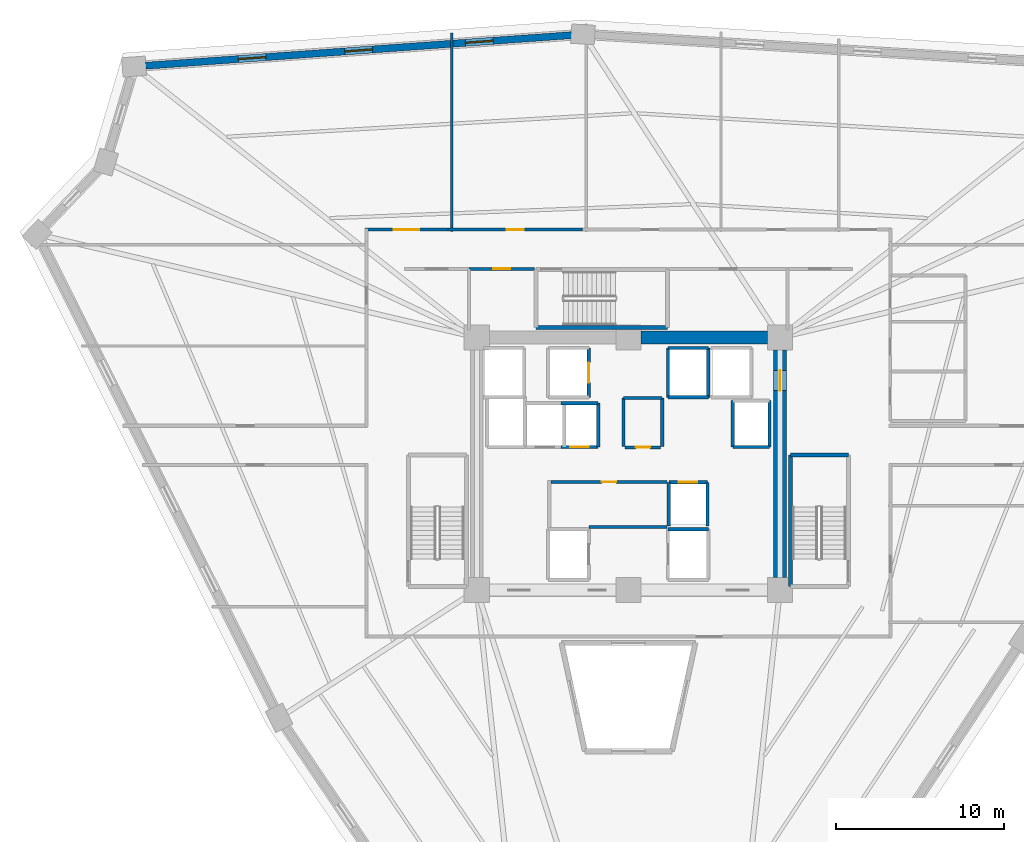
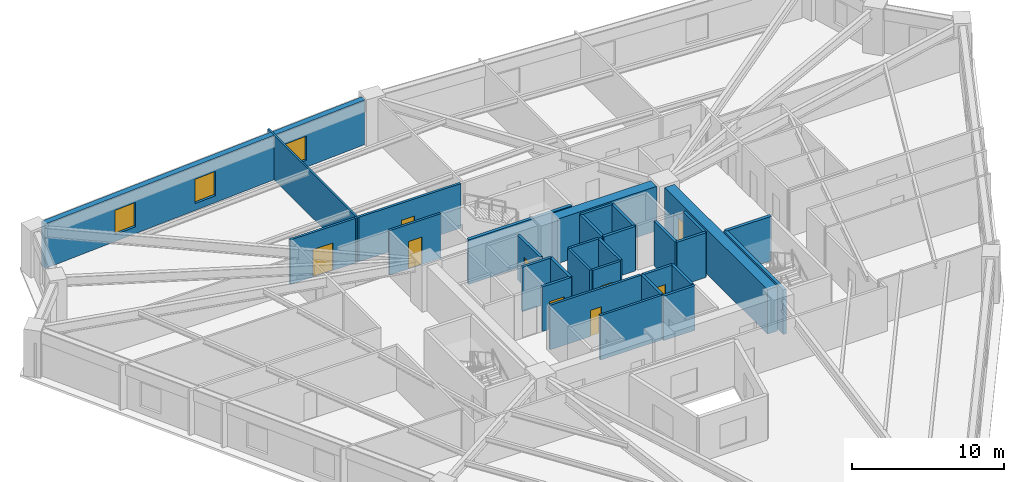
# One storey, part 5 of 8: 31 walls, 9 doors, 3 windows, 12 openings.
"""IFC4 building model written with IfcOpenShell, lengths in metres."""

from ifc_helpers import new_model, si_unit, direction, frame, frame_2d, origin, place, context, subcontext, project, spatial, rectangle, extrude, source, transform, mapped, material, layer, layer_set, type_object, element, fill, save


model = new_model("IFC4")

# Units and contexts
model_context = context("Model", 3, precision=1e-05, world=origin(), true_north=direction((0.0, 1.0)))
body_context = subcontext(model_context, "Body", "Model", "MODEL_VIEW")
ifc_project = project(units=[si_unit("LENGTHUNIT", "METRE"), si_unit("AREAUNIT", "SQUARE_METRE"), si_unit("VOLUMEUNIT", "CUBIC_METRE"), si_unit("PLANEANGLEUNIT", "RADIAN"), si_unit("MASSUNIT", "GRAM", prefix="KILO")], contexts=[model_context])

# Site, building, storey
site_placement = place(None, origin())
site = spatial("IfcSite", under=ifc_project, at=site_placement, CompositionType="ELEMENT")
building_placement = place(site_placement, origin())
building = spatial("IfcBuilding", under=site, at=building_placement, Name="Liaohun Quay Tower", CompositionType="ELEMENT")
storey_placement = place(building_placement, frame((0.0, 0.0, 159.0)))
storey = spatial("IfcBuildingStorey", under=building, at=storey_placement, Name="L41", CompositionType="ELEMENT", Elevation=159.0)

# Wall
ifc_material_1 = material(Name="Concrete C60", Category="concrete")
ifc_layer_1 = layer(ifc_material_1, 0.75, Name="Concrete C60", Category="concrete")
ifc_layer_set_1 = layer_set([ifc_layer_1], Name="Concrete C60")
wall_type_1 = type_object("IfcWallType", Name="WAL-COR-Z2", PredefinedType="SHEAR", material=ifc_layer_set_1)
wall_1_placement = place(storey_placement, frame((60.75, 61.5, 0.0), z_axis=(0.0, 0.0, 1.0), x_axis=(1.0, 0.0, 0.0)))
element("IfcWall", 1, at=wall_1_placement, inside=storey, type_object=wall_type_1, Name="L41 Central Core Shear Wall N-E", PredefinedType="SHEAR", context=body_context, shape_type="SweptSolid", body=[
    extrude(rectangle(XDim=7.5, YDim=0.75, at=frame_2d((3.75, 0.0))), origin(), (0.0, 0.0, 1.0), 3.570068359375),
])

# Wall, opening, door
wall_2_placement = place(storey_placement, frame((69.0, 60.75, 0.0), z_axis=(0.0, 0.0, 1.0), x_axis=(0.0, -1.0, 0.0)))
wall_2 = element("IfcWall", 2, at=wall_2_placement, inside=storey, type_object=wall_type_1, Name="L41 Central Core Shear Wall E", PredefinedType="SHEAR", context=body_context, shape_type="SweptSolid", body=[
    extrude(rectangle(XDim=13.5, YDim=0.75, at=frame_2d((6.75, 0.0))), origin(), (0.0, 0.0, 1.0), 3.570068359375),
])
shared_shape_1 = source(origin(), body_context, "Body", "SweptSolid", [
    extrude(rectangle(XDim=1.199951171875, YDim=2.199951171875, at=frame_2d((0.60009765625, 1.10009765625))), frame((0.0, 0.385009765625, 0.0), z_axis=(0.0, -1.0, 0.0), x_axis=(1.0, 0.0, 0.0)), (0.0, 0.0, 1.0), 0.77001953125),
])
opening_1_placement = place(wall_2_placement, frame((1.199951171875, 0.0, 0.0)))
opening_1 = element("IfcOpeningElement", 3, at=opening_1_placement, cuts=wall_2, Name="Opening SD1", PredefinedType="OPENING", context=body_context, shape_type="MappedRepresentation", body=[
    mapped(shared_shape_1, transform((0.0, 0.0, 0.0), x_axis=(1.0, 0.0, 0.0), y_axis=(0.0, 1.0, 0.0), z_axis=(0.0, 0.0, 1.0), scale=1.0)),
])
ifc_material_2 = material(Name="Galvanised steel fire door", Category="steel")
door_type_1 = type_object("IfcDoorType", Name="DOR-STR-1200", OperationType="NOTDEFINED", PredefinedType="DOOR", material=ifc_material_2)
shared_shape_2 = source(origin(), body_context, "Body", "SweptSolid", [
    extrude(rectangle(XDim=1.199951171875, YDim=2.199951171875, at=frame_2d((0.60009765625, 1.10009765625))), frame((0.0, 0.02490234375, 0.0), z_axis=(0.0, -1.0, 0.0), x_axis=(1.0, 0.0, 0.0)), (0.0, 0.0, 1.0), 0.050048828125),
])
door_1_placement = place(opening_1_placement, origin())
door_1 = element("IfcDoor", 4, at=door_1_placement, inside=storey, type_object=door_type_1, Name="L41 North-East Core Lobby Smokeproof Door", OperationType="SINGLE_SWING_LEFT", OverallHeight=2.199951171875, OverallWidth=1.199951171875, PredefinedType="DOOR", context=body_context, shape_type="MappedRepresentation", body=[
    mapped(shared_shape_2, transform((0.0, 0.0, 0.0), x_axis=(1.0, 0.0, 0.0), y_axis=(0.0, 1.0, 0.0), z_axis=(0.0, 0.0, 1.0), scale=1.0)),
])
fill(opening_1, door_1)

# Wall, openings, windows
ifc_material_3 = material(Name="Precast concrete C50 insulated sandwich", Category="concrete")
ifc_layer_2 = layer(ifc_material_3, 0.419921875, Name="Precast concrete C50 insulated sandwich", Category="concrete")
ifc_layer_set_2 = layer_set([ifc_layer_2], Name="Precast concrete C50 insulated sandwich")
wall_type_2 = type_object("IfcWallType", Name="WAL-EXT-Z12", PredefinedType="SOLIDWALL", material=ifc_layer_set_2)
wall_3_placement = place(storey_placement, frame((56.616943359375, 79.4560546875, 0.0), z_axis=(0.0, 0.0, 1.0), x_axis=(-0.997433557859, -0.071598167967, 0.0)))
wall_3 = element("IfcWall", 5, at=wall_3_placement, inside=storey, type_object=wall_type_2, Name="L41 Brutalist Precast Pier Wall 07", PredefinedType="SOLIDWALL", context=body_context, shape_type="SweptSolid", body=[
    extrude(rectangle(XDim=25.348876953125, YDim=0.419921875, at=frame_2d((12.67431640625, 0.0))), origin(), (0.0, 0.0, 1.0), 3.570068359375),
])
shared_shape_3 = source(origin(), body_context, "Body", "SweptSolid", [
    extrude(rectangle(XDim=1.64990234375, YDim=1.949951171875, at=frame_2d((0.824951171875, 0.97509765625))), frame((0.0, 0.219970703125, 0.0), z_axis=(0.0, -1.0, 0.0), x_axis=(1.0, 0.0, 0.0)), (0.0, 0.0, 1.0), 0.43994140625),
])
opening_2_placement = place(wall_3_placement, frame((4.662109375, 0.0, 0.550048828125)))
opening_2 = element("IfcOpeningElement", 6, at=opening_2_placement, cuts=wall_3, Name="Opening W02", PredefinedType="OPENING", context=body_context, shape_type="MappedRepresentation", body=[
    mapped(shared_shape_3, transform((0.0, 0.0, 0.0), x_axis=(1.0, 0.0, 0.0), y_axis=(0.0, 1.0, 0.0), z_axis=(0.0, 0.0, 1.0), scale=1.0)),
])
opening_3_placement = place(wall_3_placement, frame((11.85009765625, 0.0, 0.550048828125)))
opening_3 = element("IfcOpeningElement", 7, at=opening_3_placement, cuts=wall_3, Name="Opening W02", PredefinedType="OPENING", context=body_context, shape_type="MappedRepresentation", body=[
    mapped(shared_shape_3, transform((0.0, 0.0, 0.0), x_axis=(1.0, 0.0, 0.0), y_axis=(0.0, 1.0, 0.0), z_axis=(0.0, 0.0, 1.0), scale=1.0)),
])
opening_4_placement = place(wall_3_placement, frame((18.18701171875, 0.0, 0.550048828125)))
opening_4 = element("IfcOpeningElement", 8, at=opening_4_placement, cuts=wall_3, Name="Opening W02", PredefinedType="OPENING", context=body_context, shape_type="MappedRepresentation", body=[
    mapped(shared_shape_3, transform((0.0, 0.0, 0.0), x_axis=(1.0, 0.0, 0.0), y_axis=(0.0, 1.0, 0.0), z_axis=(0.0, 0.0, 1.0), scale=1.0)),
])
ifc_material_4 = material(Name="Triple Low-E argon glazing in thermally broken aluminium", Category="aluminium")
window_type = type_object("IfcWindowType", Name="WIN-PUN-Z2", PartitioningType="DOUBLE_PANEL_VERTICAL", PredefinedType="WINDOW", material=ifc_material_4)
shared_shape_4 = source(origin(), body_context, "Body", "SweptSolid", [
    extrude(rectangle(XDim=1.64990234375, YDim=1.949951171875, at=frame_2d((0.824951171875, 0.97509765625))), frame((0.0, 0.030029296875, 0.0), z_axis=(0.0, -1.0, 0.0), x_axis=(1.0, 0.0, 0.0)), (0.0, 0.0, 1.0), 0.06005859375),
])
window_1_placement = place(opening_2_placement, origin())
window_1 = element("IfcWindow", 9, at=window_1_placement, inside=storey, type_object=window_type, Name="L41 Recessed Cold-Climate Punched Window 07-1", OverallHeight=1.949951171875, OverallWidth=1.64990234375, PartitioningType="DOUBLE_PANEL_VERTICAL", PredefinedType="WINDOW", context=body_context, shape_type="MappedRepresentation", body=[
    mapped(shared_shape_4, transform((0.0, 0.0, 0.0), x_axis=(1.0, 0.0, 0.0), y_axis=(0.0, 1.0, 0.0), z_axis=(0.0, 0.0, 1.0), scale=1.0)),
])
fill(opening_2, window_1)
window_2_placement = place(opening_3_placement, origin())
window_2 = element("IfcWindow", 10, at=window_2_placement, inside=storey, type_object=window_type, Name="L41 Recessed Cold-Climate Punched Window 07-2", OverallHeight=1.949951171875, OverallWidth=1.64990234375, PartitioningType="DOUBLE_PANEL_VERTICAL", PredefinedType="WINDOW", context=body_context, shape_type="MappedRepresentation", body=[
    mapped(shared_shape_4, transform((0.0, 0.0, 0.0), x_axis=(1.0, 0.0, 0.0), y_axis=(0.0, 1.0, 0.0), z_axis=(0.0, 0.0, 1.0), scale=1.0)),
])
fill(opening_3, window_2)
window_3_placement = place(opening_4_placement, origin())
window_3 = element("IfcWindow", 11, at=window_3_placement, inside=storey, type_object=window_type, Name="L41 Recessed Cold-Climate Punched Window 07-3", OverallHeight=1.949951171875, OverallWidth=1.64990234375, PartitioningType="DOUBLE_PANEL_VERTICAL", PredefinedType="WINDOW", context=body_context, shape_type="MappedRepresentation", body=[
    mapped(shared_shape_4, transform((0.0, 0.0, 0.0), x_axis=(1.0, 0.0, 0.0), y_axis=(0.0, 1.0, 0.0), z_axis=(0.0, 0.0, 1.0), scale=1.0)),
])
fill(opening_4, window_3)

# Wall, opening, door
ifc_material_5 = material(Name="Autoclaved aerated concrete blockwork", Category="masonry")
ifc_layer_3 = layer(ifc_material_5, 0.179931640625, Name="Autoclaved aerated concrete blockwork", Category="masonry")
ifc_layer_set_3 = layer_set([ifc_layer_3], Name="Autoclaved aerated concrete blockwork")
wall_type_3 = type_object("IfcWallType", Name="WAL-PRT-COR", PredefinedType="PARTITIONING", material=ifc_layer_set_3)
wall_4_placement = place(storey_placement, frame((55.389892578125, 52.919921875, 0.0), z_axis=(0.0, 0.0, 1.0), x_axis=(1.0, 0.0, 0.0)))
wall_4 = element("IfcWall", 12, at=wall_4_placement, inside=storey, type_object=wall_type_3, Name="L41 Interior Partition Wall 001", PredefinedType="PARTITIONING", context=body_context, shape_type="SweptSolid", body=[
    extrude(rectangle(XDim=6.91015625, YDim=0.179931640625, at=frame_2d((3.455078125, 0.0))), origin(), (0.0, 0.0, 1.0), 3.570068359375),
])
shared_shape_5 = source(origin(), body_context, "Body", "SweptSolid", [
    extrude(rectangle(XDim=0.85009765625, YDim=2.10009765625, at=frame_2d((0.425048828125, 1.050048828125))), frame((0.0, 0.099853515625, 0.0), z_axis=(0.0, -1.0, 0.0), x_axis=(1.0, 0.0, 0.0)), (0.0, 0.0, 1.0), 0.199951171875),
])
opening_5_placement = place(wall_4_placement, frame((3.034912109375, 0.0, 0.0)))
opening_5 = element("IfcOpeningElement", 13, at=opening_5_placement, cuts=wall_4, Name="Opening AD1", PredefinedType="OPENING", context=body_context, shape_type="MappedRepresentation", body=[
    mapped(shared_shape_5, transform((0.0, 0.0, 0.0), x_axis=(1.0, 0.0, 0.0), y_axis=(0.0, 1.0, 0.0), z_axis=(0.0, 0.0, 1.0), scale=1.0)),
])
ifc_material_6 = material(Name="Steel riser inspection fire door", Category="steel")
door_type_2 = type_object("IfcDoorType", Name="DOR-SHF-850", OperationType="NOTDEFINED", PredefinedType="DOOR", material=ifc_material_6)
shared_shape_6 = source(origin(), body_context, "Body", "SweptSolid", [
    extrude(rectangle(XDim=0.85009765625, YDim=2.10009765625, at=frame_2d((0.425048828125, 1.050048828125))), frame((0.0, 0.02490234375, 0.0), z_axis=(0.0, -1.0, 0.0), x_axis=(1.0, 0.0, 0.0)), (0.0, 0.0, 1.0), 0.050048828125),
])
door_2_placement = place(opening_5_placement, origin())
door_2 = element("IfcDoor", 14, at=door_2_placement, inside=storey, type_object=door_type_2, Name="L41 Core Tenant Storage and Archive Room Door", OperationType="SINGLE_SWING_RIGHT", OverallHeight=2.10009765625, OverallWidth=0.85009765625, PredefinedType="DOOR", context=body_context, shape_type="MappedRepresentation", body=[
    mapped(shared_shape_6, transform((0.0, 0.0, 0.0), x_axis=(1.0, 0.0, 0.0), y_axis=(0.0, 1.0, 0.0), z_axis=(0.0, 0.0, 1.0), scale=1.0)),
])
fill(opening_5, door_2)

wall_5_placement = place(storey_placement, frame((59.81005859375, 54.97998046875, 0.0), z_axis=(0.0, 0.0, 1.0), x_axis=(1.0, 0.0, 0.0)))
wall_5 = element("IfcWall", 15, at=wall_5_placement, inside=storey, type_object=wall_type_3, Name="L41 Interior Partition Wall 002", PredefinedType="PARTITIONING", context=body_context, shape_type="SweptSolid", body=[
    extrude(rectangle(XDim=2.10986328125, YDim=0.179931640625, at=frame_2d((1.054931640625, 0.0))), origin(), (0.0, 0.0, 1.0), 3.570068359375),
])
opening_6_placement = place(wall_5_placement, frame((0.635009765625, 0.0, 0.0)))
opening_6 = element("IfcOpeningElement", 16, at=opening_6_placement, cuts=wall_5, Name="Opening AD1", PredefinedType="OPENING", context=body_context, shape_type="MappedRepresentation", body=[
    mapped(shared_shape_5, transform((0.0, 0.0, 0.0), x_axis=(1.0, 0.0, 0.0), y_axis=(0.0, 1.0, 0.0), z_axis=(0.0, 0.0, 1.0), scale=1.0)),
])
door_3_placement = place(opening_6_placement, origin())
door_3 = element("IfcDoor", 17, at=door_3_placement, inside=storey, type_object=door_type_2, Name="L41 Core Electrical and Telecom Riser Room Door", OperationType="SINGLE_SWING_LEFT", OverallHeight=2.10009765625, OverallWidth=0.85009765625, PredefinedType="DOOR", context=body_context, shape_type="MappedRepresentation", body=[
    mapped(shared_shape_6, transform((0.0, 0.0, 0.0), x_axis=(1.0, 0.0, 0.0), y_axis=(0.0, 1.0, 0.0), z_axis=(0.0, 0.0, 1.0), scale=1.0)),
])
fill(opening_6, door_3)

wall_6_placement = place(storey_placement, frame((50.5400390625, 65.580078125, 0.0), z_axis=(0.0, 0.0, 1.0), x_axis=(1.0, 0.0, 0.0)))
wall_6 = element("IfcWall", 18, at=wall_6_placement, inside=storey, type_object=wall_type_3, Name="L41 Interior Partition Wall 006", PredefinedType="PARTITIONING", context=body_context, shape_type="SweptSolid", body=[
    extrude(rectangle(XDim=3.869873046875, YDim=0.179931640625, at=frame_2d((1.93505859375, 0.0))), origin(), (0.0, 0.0, 1.0), 3.570068359375),
])
shared_shape_7 = source(origin(), body_context, "Body", "SweptSolid", [
    extrude(rectangle(XDim=1.0, YDim=2.199951171875, at=frame_2d((0.5, 1.10009765625))), frame((0.0, 0.099853515625, 0.0), z_axis=(0.0, -1.0, 0.0), x_axis=(1.0, 0.0, 0.0)), (0.0, 0.0, 1.0), 0.199951171875),
])
opening_7_placement = place(wall_6_placement, frame((1.43505859375, 0.0, 0.0)))
opening_7 = element("IfcOpeningElement", 19, at=opening_7_placement, cuts=wall_6, Name="Opening OD1", PredefinedType="OPENING", context=body_context, shape_type="MappedRepresentation", body=[
    mapped(shared_shape_7, transform((0.0, 0.0, 0.0), x_axis=(1.0, 0.0, 0.0), y_axis=(0.0, 1.0, 0.0), z_axis=(0.0, 0.0, 1.0), scale=1.0)),
])
ifc_material_7 = material(Name="Solid-core oak veneer timber leaf in steel frame", Category="steel")
door_type_3 = type_object("IfcDoorType", Name="DOR-OFF-1000", OperationType="NOTDEFINED", PredefinedType="DOOR", material=ifc_material_7)
shared_shape_8 = source(origin(), body_context, "Body", "SweptSolid", [
    extrude(rectangle(XDim=1.0, YDim=2.199951171875, at=frame_2d((0.5, 1.10009765625))), frame((0.0, 0.02490234375, 0.0), z_axis=(0.0, -1.0, 0.0), x_axis=(1.0, 0.0, 0.0)), (0.0, 0.0, 1.0), 0.050048828125),
])
door_4_placement = place(opening_7_placement, origin())
door_4 = element("IfcDoor", 20, at=door_4_placement, inside=storey, type_object=door_type_3, Name="L41 North-West Print and Telecom Room Door", OperationType="SINGLE_SWING_LEFT", OverallHeight=2.199951171875, OverallWidth=1.0, PredefinedType="DOOR", context=body_context, shape_type="MappedRepresentation", body=[
    mapped(shared_shape_8, transform((0.0, 0.0, 0.0), x_axis=(1.0, 0.0, 0.0), y_axis=(0.0, 1.0, 0.0), z_axis=(0.0, 0.0, 1.0), scale=1.0)),
])
fill(opening_7, door_4)

wall_7_placement = place(storey_placement, frame((49.284912109375, 67.909912109375, 0.0), z_axis=(0.0, 0.0, 1.0), x_axis=(1.0, 0.0, 0.0)))
wall_7 = element("IfcWall", 21, at=wall_7_placement, inside=storey, type_object=wall_type_3, Name="L41 Interior Partition Wall 014", PredefinedType="PARTITIONING", context=body_context, shape_type="SweptSolid", body=[
    extrude(rectangle(XDim=8.0, YDim=0.179931640625, at=frame_2d((4.0, 0.0))), origin(), (0.0, 0.0, 1.0), 3.570068359375),
])
opening_8_placement = place(wall_7_placement, frame((3.5, 0.0, 0.0)))
opening_8 = element("IfcOpeningElement", 22, at=opening_8_placement, cuts=wall_7, Name="Opening OD1", PredefinedType="OPENING", context=body_context, shape_type="MappedRepresentation", body=[
    mapped(shared_shape_7, transform((0.0, 0.0, 0.0), x_axis=(1.0, 0.0, 0.0), y_axis=(0.0, 1.0, 0.0), z_axis=(0.0, 0.0, 1.0), scale=1.0)),
])
door_5_placement = place(opening_8_placement, origin())
door_5 = element("IfcDoor", 23, at=door_5_placement, inside=storey, type_object=door_type_3, Name="L41 Client Collaboration Lounge 05 Door", OperationType="SINGLE_SWING_LEFT", OverallHeight=2.199951171875, OverallWidth=1.0, PredefinedType="DOOR", context=body_context, shape_type="MappedRepresentation", body=[
    mapped(shared_shape_8, transform((0.0, 0.0, 0.0), x_axis=(1.0, 0.0, 0.0), y_axis=(0.0, 1.0, 0.0), z_axis=(0.0, 0.0, 1.0), scale=1.0)),
])
fill(opening_8, door_5)

wall_8_placement = place(storey_placement, frame((44.3701171875, 67.909912109375, 0.0), z_axis=(0.0, 0.0, 1.0), x_axis=(1.0, 0.0, 0.0)))
wall_8 = element("IfcWall", 24, at=wall_8_placement, inside=storey, type_object=wall_type_3, Name="L41 Interior Partition Wall 015", PredefinedType="PARTITIONING", context=body_context, shape_type="SweptSolid", body=[
    extrude(rectangle(XDim=4.914794921875, YDim=0.179931640625, at=frame_2d((2.45751953125, 0.0))), origin(), (0.0, 0.0, 1.0), 3.570068359375),
])
shared_shape_9 = source(origin(), body_context, "Body", "SweptSolid", [
    extrude(rectangle(XDim=1.5, YDim=2.199951171875, at=frame_2d((0.75, 1.10009765625))), frame((0.0, 0.099853515625, 0.0), z_axis=(0.0, -1.0, 0.0), x_axis=(1.0, 0.0, 0.0)), (0.0, 0.0, 1.0), 0.199951171875),
])
opening_9_placement = place(wall_8_placement, frame((1.70703125, 0.0, 0.0)))
opening_9 = element("IfcOpeningElement", 25, at=opening_9_placement, cuts=wall_8, Name="Opening OD2", PredefinedType="OPENING", context=body_context, shape_type="MappedRepresentation", body=[
    mapped(shared_shape_9, transform((0.0, 0.0, 0.0), x_axis=(1.0, 0.0, 0.0), y_axis=(0.0, 1.0, 0.0), z_axis=(0.0, 0.0, 1.0), scale=1.0)),
])
ifc_material_8 = material(Name="Acoustic oak veneer double door")
door_type_4 = type_object("IfcDoorType", Name="DOR-OFF-1500", OperationType="DOUBLE_DOOR_SINGLE_SWING", PredefinedType="DOOR", material=ifc_material_8)
shared_shape_10 = source(origin(), body_context, "Body", "SweptSolid", [
    extrude(rectangle(XDim=1.5, YDim=2.199951171875, at=frame_2d((0.75, 1.10009765625))), frame((0.0, 0.02490234375, 0.0), z_axis=(0.0, -1.0, 0.0), x_axis=(1.0, 0.0, 0.0)), (0.0, 0.0, 1.0), 0.050048828125),
])
door_6_placement = place(opening_9_placement, origin())
door_6 = element("IfcDoor", 26, at=door_6_placement, inside=storey, type_object=door_type_4, Name="L41 Staff Tea Kitchen and Pantry 06 Door", OperationType="DOUBLE_DOOR_SINGLE_SWING", OverallHeight=2.199951171875, OverallWidth=1.5, PredefinedType="DOOR", context=body_context, shape_type="MappedRepresentation", body=[
    mapped(shared_shape_10, transform((0.0, 0.0, 0.0), x_axis=(1.0, 0.0, 0.0), y_axis=(0.0, 1.0, 0.0), z_axis=(0.0, 0.0, 1.0), scale=1.0)),
])
fill(opening_9, door_6)

# Walls
for number, where, z_axis, x_axis, name in (
    (27, (59.719970703125, 55.02001953125, 0.0), (0.0, 0.0, 1.0), (0.0, 1.0, 0.0), "L41 Interior Partition Wall 022"),
    (28, (62.010009765625, 55.02001953125, 0.0), (0.0, 0.0, 1.0), (0.0, 1.0, 0.0), "L41 Interior Partition Wall 023"),
):
    element("IfcWall", number, at=place(storey_placement, frame(where, z_axis=z_axis, x_axis=x_axis)), inside=storey, type_object=wall_type_3, Name=name, PredefinedType="PARTITIONING", context=body_context, shape_type="SweptSolid", body=[
        extrude(rectangle(XDim=2.8798828125, YDim=0.179931640625, at=frame_2d((1.43994140625, 0.0))), origin(), (0.0, 0.0, 1.0), 3.570068359375),
    ])
wall_9_placement = place(storey_placement, frame((59.719970703125, 57.919921875, 0.0), z_axis=(0.0, 0.0, 1.0), x_axis=(1.0, 0.0, 0.0)))
element("IfcWall", 29, at=wall_9_placement, inside=storey, type_object=wall_type_3, Name="L41 Interior Partition Wall 024", PredefinedType="PARTITIONING", context=body_context, shape_type="SweptSolid", body=[
    extrude(rectangle(XDim=2.2900390625, YDim=0.179931640625, at=frame_2d((1.14501953125, 0.0))), origin(), (0.0, 0.0, 1.0), 3.570068359375),
])
wall_10_placement = place(storey_placement, frame((57.64990234375, 50.25, 0.0), z_axis=(0.0, 0.0, 1.0), x_axis=(1.0, 0.0, 0.0)))
element("IfcWall", 30, at=wall_10_placement, inside=storey, type_object=wall_type_3, Name="L41 Interior Partition Wall 051", PredefinedType="PARTITIONING", context=body_context, shape_type="SweptSolid", body=[
    extrude(rectangle(XDim=4.650146484375, YDim=0.179931640625, at=frame_2d((2.3251953125, 0.0))), origin(), (0.0, 0.0, 1.0), 3.570068359375),
])
ifc_material_9 = material(Name="Gypsum board on twin steel studs", Category="steel")
ifc_layer_4 = layer(ifc_material_9, 0.139892578125, Name="Gypsum board on twin steel studs", Category="steel")
ifc_layer_set_4 = layer_set([ifc_layer_4], Name="Gypsum board on twin steel studs")
wall_type_4 = type_object("IfcWallType", Name="WAL-PRT-OFF", PredefinedType="PARTITIONING", material=ifc_layer_set_4)
wall_11_placement = place(storey_placement, frame((49.5, 67.81005859375, 0.0), z_axis=(0.0, 0.0, 1.0), x_axis=(0.0, 1.0, 0.0)))
element("IfcWall", 31, at=wall_11_placement, inside=storey, type_object=wall_type_4, Name="L41 Interior Partition Wall 046", PredefinedType="PARTITIONING", context=body_context, shape_type="SweptSolid", body=[
    extrude(rectangle(XDim=11.766845703125, YDim=0.139892578125, at=frame_2d((5.88330078125, 0.0))), origin(), (0.0, 0.0, 1.0), 3.570068359375),
])
ifc_material_10 = material(Name="Concrete C50", Category="concrete")
ifc_layer_5 = layer(ifc_material_10, 0.239990234375, Name="Concrete C50", Category="concrete")
ifc_layer_set_5 = layer_set([ifc_layer_5], Name="Concrete C50")
wall_type_5 = type_object("IfcWallType", Name="WAL-SHF-200", PredefinedType="SOLIDWALL", material=ifc_layer_set_5)
wall_12_placement = place(storey_placement, frame((73.06005859375, 54.52001953125, 0.0), z_axis=(0.0, 0.0, 1.0), x_axis=(-1.0, 0.0, 0.0)))
element("IfcWall", 32, at=wall_12_placement, inside=storey, type_object=wall_type_5, Name="L41 Stairwell ST-2 Structural Core Wall N", PredefinedType="SOLIDWALL", context=body_context, shape_type="SweptSolid", body=[
    extrude(rectangle(XDim=3.43994140625, YDim=0.239990234375, at=frame_2d((1.719970703125, 0.0))), origin(), (0.0, 0.0, 1.0), 3.570068359375),
])
for number, where, z_axis, x_axis, name in (
    (33, (69.6201171875, 54.52001953125, 0.0), (0.0, 0.0, 1.0), (0.0, -1.0, 0.0), "L41 Stairwell ST-2 Structural Core Wall W"),
    (34, (54.5, 62.10009765625, 0.0), (0.0, 0.0, 1.0), (1.0, 0.0, 0.0), "L41 Stairwell ST-3 Structural Core Wall S"),
):
    element("IfcWall", number, at=place(storey_placement, frame(where, z_axis=z_axis, x_axis=x_axis)), inside=storey, type_object=wall_type_5, Name=name, PredefinedType="SOLIDWALL", context=body_context, shape_type="SweptSolid", body=[
        extrude(rectangle(XDim=7.820068359375, YDim=0.239990234375, at=frame_2d((3.91015625, 0.0))), origin(), (0.0, 0.0, 1.0), 3.570068359375),
    ])
wall_13_placement = place(storey_placement, frame((64.75, 50.1201171875, 0.0), z_axis=(0.0, 0.0, 1.0), x_axis=(-1.0, 0.0, 0.0)))
element("IfcWall", 35, at=wall_13_placement, inside=storey, type_object=wall_type_5, Name="L41 Lift FF-02 Hoistway Wall N", PredefinedType="SOLIDWALL", context=body_context, shape_type="SweptSolid", body=[
    extrude(rectangle(XDim=2.39990234375, YDim=0.199951171875, at=frame_2d((1.199951171875, 0.0))), origin(), (0.0, 0.0, 1.0), 3.570068359375),
])

# Wall, opening, door
wall_14_placement = place(storey_placement, frame((57.64990234375, 57.949951171875, 0.0), z_axis=(0.0, 0.0, 1.0), x_axis=(0.0, 1.0, 0.0)))
wall_14 = element("IfcWall", 36, at=wall_14_placement, inside=storey, type_object=wall_type_5, Name="L41 Lift FF-03 Hoistway Wall E", PredefinedType="SOLIDWALL", context=body_context, shape_type="SweptSolid", body=[
    extrude(rectangle(XDim=2.929931640625, YDim=0.199951171875, at=frame_2d((1.46484375, 0.0))), origin(), (0.0, 0.0, 1.0), 3.570068359375),
])
shared_shape_11 = source(origin(), body_context, "Body", "SweptSolid", [
    extrude(rectangle(XDim=1.199951171875, YDim=2.300048828125, at=frame_2d((0.60009765625, 1.14990234375))), frame((0.0, 0.10986328125, 0.0), z_axis=(0.0, -1.0, 0.0), x_axis=(1.0, 0.0, 0.0)), (0.0, 0.0, 1.0), 0.219970703125),
])
opening_10_placement = place(wall_14_placement, frame((0.864990234375, 0.0, 0.0)))
opening_10 = element("IfcOpeningElement", 37, at=opening_10_placement, cuts=wall_14, Name="Opening LD2", PredefinedType="OPENING", context=body_context, shape_type="MappedRepresentation", body=[
    mapped(shared_shape_11, transform((0.0, 0.0, 0.0), x_axis=(1.0, 0.0, 0.0), y_axis=(0.0, 1.0, 0.0), z_axis=(0.0, 0.0, 1.0), scale=1.0)),
])
ifc_material_11 = material(Name="Brushed stainless steel stretcher landing door", Category="steel")
door_type_5 = type_object("IfcDoorType", Name="DOR-LFT-1200", OperationType="SLIDING_TO_LEFT", PredefinedType="DOOR", material=ifc_material_11)
shared_shape_12 = source(origin(), body_context, "Body", "SweptSolid", [
    extrude(rectangle(XDim=1.199951171875, YDim=2.300048828125, at=frame_2d((0.60009765625, 1.14990234375))), frame((0.0, 0.02490234375, 0.0), z_axis=(0.0, -1.0, 0.0), x_axis=(1.0, 0.0, 0.0)), (0.0, 0.0, 1.0), 0.050048828125),
])
door_7_placement = place(opening_10_placement, origin())
door_7 = element("IfcDoor", 38, at=door_7_placement, inside=storey, type_object=door_type_5, Name="L41 Lift FF-03 Sliding Landing Door", OperationType="SLIDING_TO_LEFT", OverallHeight=2.300048828125, OverallWidth=1.199951171875, PredefinedType="DOOR", context=body_context, shape_type="MappedRepresentation", body=[
    mapped(shared_shape_12, transform((0.0, 0.0, 0.0), x_axis=(1.0, 0.0, 0.0), y_axis=(0.0, 1.0, 0.0), z_axis=(0.0, 0.0, 1.0), scale=1.0)),
])
fill(opening_10, door_7)

# Walls
wall_15_placement = place(storey_placement, frame((62.35009765625, 57.949951171875, 0.0), z_axis=(0.0, 0.0, 1.0), x_axis=(1.0, 0.0, 0.0)))
element("IfcWall", 39, at=wall_15_placement, inside=storey, type_object=wall_type_5, Name="L41 Lift OB-01 Hoistway Wall S", PredefinedType="SOLIDWALL", context=body_context, shape_type="SweptSolid", body=[
    extrude(rectangle(XDim=2.39990234375, YDim=0.199951171875, at=frame_2d((1.199951171875, 0.0))), origin(), (0.0, 0.0, 1.0), 3.570068359375),
])
wall_16_placement = place(storey_placement, frame((64.75, 57.949951171875, 0.0), z_axis=(0.0, 0.0, 1.0), x_axis=(0.0, 1.0, 0.0)))
element("IfcWall", 40, at=wall_16_placement, inside=storey, type_object=wall_type_5, Name="L41 Lift OB-01 Hoistway Wall E", PredefinedType="SOLIDWALL", context=body_context, shape_type="SweptSolid", body=[
    extrude(rectangle(XDim=2.929931640625, YDim=0.199951171875, at=frame_2d((1.46484375, 0.0))), origin(), (0.0, 0.0, 1.0), 3.570068359375),
])
wall_17_placement = place(storey_placement, frame((64.75, 60.8798828125, 0.0), z_axis=(0.0, 0.0, 1.0), x_axis=(-1.0, 0.0, 0.0)))
element("IfcWall", 41, at=wall_17_placement, inside=storey, type_object=wall_type_5, Name="L41 Lift OB-01 Hoistway Wall N", PredefinedType="SOLIDWALL", context=body_context, shape_type="SweptSolid", body=[
    extrude(rectangle(XDim=2.39990234375, YDim=0.199951171875, at=frame_2d((1.199951171875, 0.0))), origin(), (0.0, 0.0, 1.0), 3.570068359375),
])
wall_18_placement = place(storey_placement, frame((62.35009765625, 60.8798828125, 0.0), z_axis=(0.0, 0.0, 1.0), x_axis=(0.0, -1.0, 0.0)))
element("IfcWall", 42, at=wall_18_placement, inside=storey, type_object=wall_type_5, Name="L41 Lift OB-01 Hoistway Wall W", PredefinedType="SOLIDWALL", context=body_context, shape_type="SweptSolid", body=[
    extrude(rectangle(XDim=2.929931640625, YDim=0.199951171875, at=frame_2d((1.46484375, 0.0))), origin(), (0.0, 0.0, 1.0), 3.570068359375),
])
wall_19_placement = place(storey_placement, frame((66.199951171875, 55.0, 0.0), z_axis=(0.0, 0.0, 1.0), x_axis=(1.0, 0.0, 0.0)))
element("IfcWall", 43, at=wall_19_placement, inside=storey, type_object=wall_type_5, Name="L41 Lift SH-03 Hoistway Wall S", PredefinedType="SOLIDWALL", context=body_context, shape_type="SweptSolid", body=[
    extrude(rectangle(XDim=2.179931640625, YDim=0.199951171875, at=frame_2d((1.08984375, 0.0))), origin(), (0.0, 0.0, 1.0), 3.570068359375),
])
for number, where, z_axis, x_axis, name in (
    (44, (68.3798828125, 55.0, 0.0), (0.0, 0.0, 1.0), (0.0, 1.0, 0.0), "L41 Lift SH-03 Hoistway Wall E"),
    (45, (66.199951171875, 57.75, 0.0), (0.0, 0.0, 1.0), (0.0, -1.0, 0.0), "L41 Lift SH-03 Hoistway Wall W"),
):
    element("IfcWall", number, at=place(storey_placement, frame(where, z_axis=z_axis, x_axis=x_axis)), inside=storey, type_object=wall_type_5, Name=name, PredefinedType="SOLIDWALL", context=body_context, shape_type="SweptSolid", body=[
        extrude(rectangle(XDim=2.75, YDim=0.199951171875, at=frame_2d((1.375, 0.0))), origin(), (0.0, 0.0, 1.0), 3.570068359375),
    ])
wall_20_placement = place(storey_placement, frame((64.699951171875, 50.300048828125, 0.0), z_axis=(0.0, 0.0, 1.0), x_axis=(0.0, 1.0, 0.0)))
element("IfcWall", 46, at=wall_20_placement, inside=storey, type_object=wall_type_5, Name="L41 Lift PL-2A Hoistway Wall E", PredefinedType="SOLIDWALL", context=body_context, shape_type="SweptSolid", body=[
    extrude(rectangle(XDim=2.599853515625, YDim=0.199951171875, at=frame_2d((1.2998046875, 0.0))), origin(), (0.0, 0.0, 1.0), 3.570068359375),
])

# Wall, opening, door
wall_21_placement = place(storey_placement, frame((64.699951171875, 52.89990234375, 0.0), z_axis=(0.0, 0.0, 1.0), x_axis=(-1.0, 0.0, 0.0)))
wall_21 = element("IfcWall", 47, at=wall_21_placement, inside=storey, type_object=wall_type_5, Name="L41 Lift PL-2A Hoistway Wall N", PredefinedType="SOLIDWALL", context=body_context, shape_type="SweptSolid", body=[
    extrude(rectangle(XDim=2.300048828125, YDim=0.199951171875, at=frame_2d((1.14990234375, 0.0))), origin(), (0.0, 0.0, 1.0), 3.570068359375),
])
shared_shape_13 = source(origin(), body_context, "Body", "SweptSolid", [
    extrude(rectangle(XDim=1.10009765625, YDim=2.199951171875, at=frame_2d((0.550048828125, 1.10009765625))), frame((0.0, 0.10986328125, 0.0), z_axis=(0.0, -1.0, 0.0), x_axis=(1.0, 0.0, 0.0)), (0.0, 0.0, 1.0), 0.219970703125),
])
opening_11_placement = place(wall_21_placement, frame((0.60009765625, 0.0, 0.0)))
opening_11 = element("IfcOpeningElement", 48, at=opening_11_placement, cuts=wall_21, Name="Opening LD1", PredefinedType="OPENING", context=body_context, shape_type="MappedRepresentation", body=[
    mapped(shared_shape_13, transform((0.0, 0.0, 0.0), x_axis=(1.0, 0.0, 0.0), y_axis=(0.0, 1.0, 0.0), z_axis=(0.0, 0.0, 1.0), scale=1.0)),
])
ifc_material_12 = material(Name="Brushed stainless steel landing door", Category="steel")
door_type_6 = type_object("IfcDoorType", Name="DOR-LFT-1100", OperationType="SLIDING_TO_LEFT", PredefinedType="DOOR", material=ifc_material_12)
shared_shape_14 = source(origin(), body_context, "Body", "SweptSolid", [
    extrude(rectangle(XDim=1.10009765625, YDim=2.199951171875, at=frame_2d((0.550048828125, 1.10009765625))), frame((0.0, 0.02490234375, 0.0), z_axis=(0.0, -1.0, 0.0), x_axis=(1.0, 0.0, 0.0)), (0.0, 0.0, 1.0), 0.050048828125),
])
door_8_placement = place(opening_11_placement, origin())
door_8 = element("IfcDoor", 49, at=door_8_placement, inside=storey, type_object=door_type_6, Name="L41 Lift PL-2A Sliding Landing Door", OperationType="SLIDING_TO_LEFT", OverallHeight=2.199951171875, OverallWidth=1.10009765625, PredefinedType="DOOR", context=body_context, shape_type="MappedRepresentation", body=[
    mapped(shared_shape_14, transform((0.0, 0.0, 0.0), x_axis=(1.0, 0.0, 0.0), y_axis=(0.0, 1.0, 0.0), z_axis=(0.0, 0.0, 1.0), scale=1.0)),
])
fill(opening_11, door_8)

# Wall
wall_22_placement = place(storey_placement, frame((62.39990234375, 52.89990234375, 0.0), z_axis=(0.0, 0.0, 1.0), x_axis=(0.0, -1.0, 0.0)))
element("IfcWall", 50, at=wall_22_placement, inside=storey, type_object=wall_type_5, Name="L41 Lift PL-2A Hoistway Wall W", PredefinedType="SOLIDWALL", context=body_context, shape_type="SweptSolid", body=[
    extrude(rectangle(XDim=2.599853515625, YDim=0.199951171875, at=frame_2d((1.2998046875, 0.0))), origin(), (0.0, 0.0, 1.0), 3.570068359375),
])

# Wall, opening, door
wall_23_placement = place(storey_placement, frame((56.0, 55.0, 0.0), z_axis=(0.0, 0.0, 1.0), x_axis=(1.0, 0.0, 0.0)))
wall_23 = element("IfcWall", 51, at=wall_23_placement, inside=storey, type_object=wall_type_5, Name="L41 Lift PL-2C Hoistway Wall S", PredefinedType="SOLIDWALL", context=body_context, shape_type="SweptSolid", body=[
    extrude(rectangle(XDim=2.199951171875, YDim=0.199951171875, at=frame_2d((1.10009765625, 0.0))), origin(), (0.0, 0.0, 1.0), 3.570068359375),
])
opening_12_placement = place(wall_23_placement, frame((0.550048828125, 0.0, 0.0)))
opening_12 = element("IfcOpeningElement", 52, at=opening_12_placement, cuts=wall_23, Name="Opening LD1", PredefinedType="OPENING", context=body_context, shape_type="MappedRepresentation", body=[
    mapped(shared_shape_13, transform((0.0, 0.0, 0.0), x_axis=(1.0, 0.0, 0.0), y_axis=(0.0, 1.0, 0.0), z_axis=(0.0, 0.0, 1.0), scale=1.0)),
])
door_9_placement = place(opening_12_placement, origin())
door_9 = element("IfcDoor", 53, at=door_9_placement, inside=storey, type_object=door_type_6, Name="L41 Lift PL-2C Sliding Landing Door", OperationType="SLIDING_TO_LEFT", OverallHeight=2.199951171875, OverallWidth=1.10009765625, PredefinedType="DOOR", context=body_context, shape_type="MappedRepresentation", body=[
    mapped(shared_shape_14, transform((0.0, 0.0, 0.0), x_axis=(1.0, 0.0, 0.0), y_axis=(0.0, 1.0, 0.0), z_axis=(0.0, 0.0, 1.0), scale=1.0)),
])
fill(opening_12, door_9)

# Walls
wall_24_placement = place(storey_placement, frame((58.199951171875, 55.0, 0.0), z_axis=(0.0, 0.0, 1.0), x_axis=(0.0, 1.0, 0.0)))
element("IfcWall", 54, at=wall_24_placement, inside=storey, type_object=wall_type_5, Name="L41 Lift PL-2C Hoistway Wall E", PredefinedType="SOLIDWALL", context=body_context, shape_type="SweptSolid", body=[
    extrude(rectangle(XDim=2.60009765625, YDim=0.199951171875, at=frame_2d((1.300048828125, 0.0))), origin(), (0.0, 0.0, 1.0), 3.570068359375),
])
wall_25_placement = place(storey_placement, frame((58.199951171875, 57.60009765625, 0.0), z_axis=(0.0, 0.0, 1.0), x_axis=(-1.0, 0.0, 0.0)))
element("IfcWall", 55, at=wall_25_placement, inside=storey, type_object=wall_type_5, Name="L41 Lift PL-2C Hoistway Wall N", PredefinedType="SOLIDWALL", context=body_context, shape_type="SweptSolid", body=[
    extrude(rectangle(XDim=2.199951171875, YDim=0.199951171875, at=frame_2d((1.10009765625, 0.0))), origin(), (0.0, 0.0, 1.0), 3.570068359375),
])

save(model, "model.ifc")
